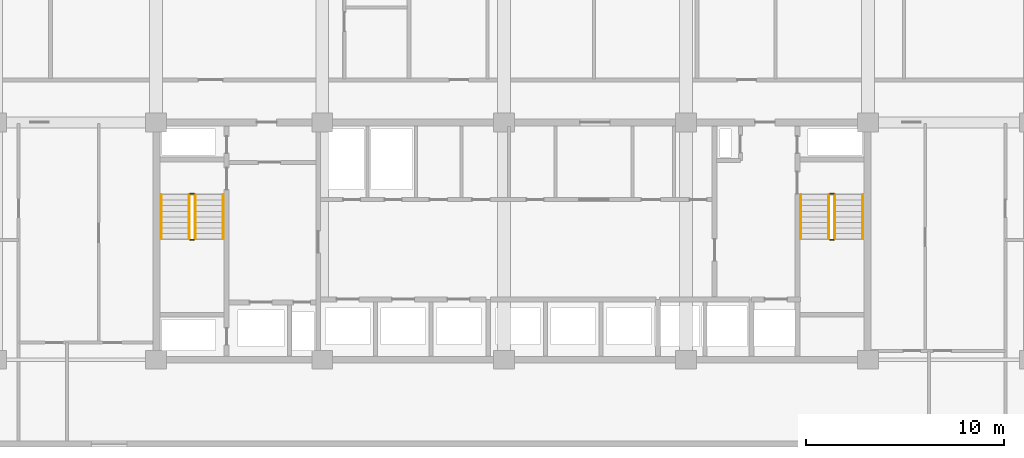
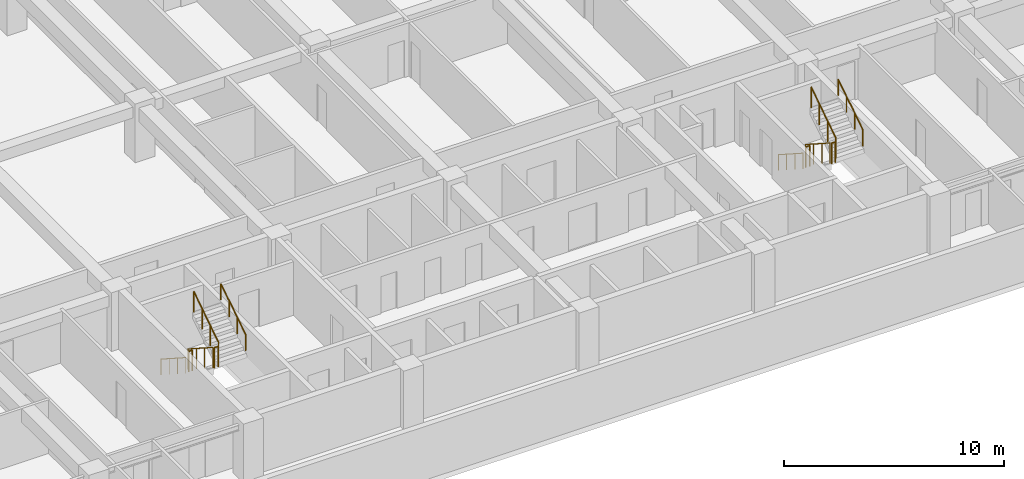
# One storey, part 22 of 23: 12 railings.
"""IFC4 building model written with IfcOpenShell, lengths in metres."""

from ifc_helpers import new_model, si_unit, direction, frame, origin, origin_2d, place, context, subcontext, project, spatial, circle, extrude, material, type_object, element, save


model = new_model("IFC4")

# Units and contexts
model_context = context("Model", 3, precision=1e-05, world=origin(), true_north=direction((0.0, 1.0)))
body_context = subcontext(model_context, "Body", "Model", "MODEL_VIEW")
ifc_project = project(units=[si_unit("LENGTHUNIT", "METRE"), si_unit("AREAUNIT", "SQUARE_METRE"), si_unit("VOLUMEUNIT", "CUBIC_METRE"), si_unit("PLANEANGLEUNIT", "RADIAN"), si_unit("MASSUNIT", "GRAM", prefix="KILO")], contexts=[model_context])

# Site, building, storey
site_placement = place(None, origin())
site = spatial("IfcSite", under=ifc_project, at=site_placement, CompositionType="ELEMENT")
building_placement = place(site_placement, origin())
building = spatial("IfcBuilding", under=site, at=building_placement, Name="Korimba Cascade Residences", CompositionType="ELEMENT")
storey_placement = place(building_placement, frame((0.0, 0.0, 50.0)))
storey = spatial("IfcBuildingStorey", under=building, at=storey_placement, Name="L13", CompositionType="ELEMENT", Elevation=50.0)

# Railings
ifc_material_1 = material(Name="Painted Steel Stairwell Guardrail", Category="steel")
railing_type_1 = type_object("IfcRailingType", Name="RLG-ST-GD1150", PredefinedType="GUARDRAIL", material=ifc_material_1)
railing_1_placement = place(storey_placement, frame((77.77001953125, 63.550048828125, 0.1806640625)))
element("IfcRailing", 1, at=railing_1_placement, inside=storey, type_object=railing_type_1, Name="L13 ST-W1 stair guard 1", PredefinedType="GUARDRAIL", context=body_context, shape_type="SweptSolid", body=[
    extrude(circle(Radius=0.02392578125, at=origin_2d()), frame((0.0, 0.0, 1.1259765625), z_axis=(0.0, -0.840436612492, 0.541909863706), x_axis=(1.0, 0.0, 0.0)), (0.0, 0.0, 1.0), 2.665283203125),
    extrude(circle(Radius=0.02099609375, at=origin_2d()), origin(), (0.0, 0.0, 1.0), 1.101806640625),
    extrude(circle(Radius=0.02099609375, at=origin_2d()), frame((0.0, -0.74658203125, 0.4814453125)), (0.0, 0.0, 1.0), 1.101806640625),
    extrude(circle(Radius=0.02099609375, at=origin_2d()), frame((0.0, -1.493408203125, 0.962890625)), (0.0, 0.0, 1.0), 1.101806640625),
    extrude(circle(Radius=0.02099609375, at=origin_2d()), frame((0.0, -2.239990234375, 1.4443359375)), (0.0, 0.0, 1.0), 1.101806640625),
])
railing_2_placement = place(storey_placement, frame((77.820068359375, 61.260009765625, 1.625)))
element("IfcRailing", 2, at=railing_2_placement, inside=storey, type_object=railing_type_1, Name="L13 ST-W1 stair guard 2", PredefinedType="GUARDRAIL", context=body_context, shape_type="SweptSolid", body=[
    extrude(circle(Radius=0.02392578125, at=origin_2d()), frame((0.0, 0.0, 1.1259765625), z_axis=(1.0, 0.0, 0.0), x_axis=(0.0, 1.0, 0.0)), (0.0, 0.0, 1.0), 0.199951171875),
    extrude(circle(Radius=0.02099609375, at=origin_2d()), origin(), (0.0, 0.0, 1.0), 1.101806640625),
    extrude(circle(Radius=0.02099609375, at=origin_2d()), frame((0.199951171875, 0.0, 0.0)), (0.0, 0.0, 1.0), 1.101806640625),
])
railing_3_placement = place(storey_placement, frame((78.070068359375, 61.31005859375, 1.8056640625)))
element("IfcRailing", 3, at=railing_3_placement, inside=storey, type_object=railing_type_1, Name="L13 ST-W1 stair guard 3", PredefinedType="GUARDRAIL", context=body_context, shape_type="SweptSolid", body=[
    extrude(circle(Radius=0.02392578125, at=origin_2d()), frame((0.0, 0.0, 1.1259765625), z_axis=(0.0, 0.840436612492, 0.541909863706), x_axis=(-1.0, 0.0, 0.0)), (0.0, 0.0, 1.0), 2.665283203125),
    extrude(circle(Radius=0.02099609375, at=origin_2d()), origin(), (0.0, 0.0, 1.0), 1.101806640625),
    extrude(circle(Radius=0.02099609375, at=origin_2d()), frame((0.0, 0.74658203125, 0.4814453125)), (0.0, 0.0, 1.0), 1.101806640625),
    extrude(circle(Radius=0.02099609375, at=origin_2d()), frame((0.0, 1.493408203125, 0.962890625)), (0.0, 0.0, 1.0), 1.101806640625),
    extrude(circle(Radius=0.02099609375, at=origin_2d()), frame((0.0, 2.239990234375, 1.4443359375)), (0.0, 0.0, 1.0), 1.101806640625),
])
railing_4_placement = place(storey_placement, frame((77.820068359375, 63.60009765625, 0.0)))
element("IfcRailing", 4, at=railing_4_placement, inside=storey, type_object=railing_type_1, Name="L13 ST-W1 stair guard 4", PredefinedType="GUARDRAIL", context=body_context, shape_type="SweptSolid", body=[
    extrude(circle(Radius=0.02392578125, at=origin_2d()), frame((0.0, 0.0, 1.1259765625), z_axis=(1.0, 0.0, 0.0), x_axis=(0.0, 1.0, 0.0)), (0.0, 0.0, 1.0), 0.199951171875),
    extrude(circle(Radius=0.02099609375, at=origin_2d()), origin(), (0.0, 0.0, 1.0), 1.101806640625),
    extrude(circle(Radius=0.02099609375, at=origin_2d()), frame((0.199951171875, 0.0, 0.0)), (0.0, 0.0, 1.0), 1.101806640625),
])
railing_5_placement = place(storey_placement, frame((110.1298828125, 63.550048828125, 0.1806640625)))
element("IfcRailing", 5, at=railing_5_placement, inside=storey, type_object=railing_type_1, Name="L13 ST-W2 stair guard 1", PredefinedType="GUARDRAIL", context=body_context, shape_type="SweptSolid", body=[
    extrude(circle(Radius=0.02392578125, at=origin_2d()), frame((0.0, 0.0, 1.1259765625), z_axis=(0.0, -0.840436612492, 0.541909863706), x_axis=(1.0, 0.0, 0.0)), (0.0, 0.0, 1.0), 2.665283203125),
    extrude(circle(Radius=0.02099609375, at=origin_2d()), origin(), (0.0, 0.0, 1.0), 1.101806640625),
    extrude(circle(Radius=0.02099609375, at=origin_2d()), frame((0.0, -0.74658203125, 0.4814453125)), (0.0, 0.0, 1.0), 1.101806640625),
    extrude(circle(Radius=0.02099609375, at=origin_2d()), frame((0.0, -1.493408203125, 0.962890625)), (0.0, 0.0, 1.0), 1.101806640625),
    extrude(circle(Radius=0.02099609375, at=origin_2d()), frame((0.0, -2.239990234375, 1.4443359375)), (0.0, 0.0, 1.0), 1.101806640625),
])
railing_6_placement = place(storey_placement, frame((110.179931640625, 61.260009765625, 1.625)))
element("IfcRailing", 6, at=railing_6_placement, inside=storey, type_object=railing_type_1, Name="L13 ST-W2 stair guard 2", PredefinedType="GUARDRAIL", context=body_context, shape_type="SweptSolid", body=[
    extrude(circle(Radius=0.02392578125, at=origin_2d()), frame((0.0, 0.0, 1.1259765625), z_axis=(1.0, 0.0, 0.0), x_axis=(0.0, 1.0, 0.0)), (0.0, 0.0, 1.0), 0.199951171875),
    extrude(circle(Radius=0.02099609375, at=origin_2d()), origin(), (0.0, 0.0, 1.0), 1.101806640625),
    extrude(circle(Radius=0.02099609375, at=origin_2d()), frame((0.199951171875, 0.0, 0.0)), (0.0, 0.0, 1.0), 1.101806640625),
])
railing_7_placement = place(storey_placement, frame((110.429931640625, 61.31005859375, 1.8056640625)))
element("IfcRailing", 7, at=railing_7_placement, inside=storey, type_object=railing_type_1, Name="L13 ST-W2 stair guard 3", PredefinedType="GUARDRAIL", context=body_context, shape_type="SweptSolid", body=[
    extrude(circle(Radius=0.02392578125, at=origin_2d()), frame((0.0, 0.0, 1.1259765625), z_axis=(0.0, 0.840436612492, 0.541909863706), x_axis=(-1.0, 0.0, 0.0)), (0.0, 0.0, 1.0), 2.665283203125),
    extrude(circle(Radius=0.02099609375, at=origin_2d()), origin(), (0.0, 0.0, 1.0), 1.101806640625),
    extrude(circle(Radius=0.02099609375, at=origin_2d()), frame((0.0, 0.74658203125, 0.4814453125)), (0.0, 0.0, 1.0), 1.101806640625),
    extrude(circle(Radius=0.02099609375, at=origin_2d()), frame((0.0, 1.493408203125, 0.962890625)), (0.0, 0.0, 1.0), 1.101806640625),
    extrude(circle(Radius=0.02099609375, at=origin_2d()), frame((0.0, 2.239990234375, 1.4443359375)), (0.0, 0.0, 1.0), 1.101806640625),
])
railing_8_placement = place(storey_placement, frame((110.179931640625, 63.60009765625, 0.0)))
element("IfcRailing", 8, at=railing_8_placement, inside=storey, type_object=railing_type_1, Name="L13 ST-W2 stair guard 4", PredefinedType="GUARDRAIL", context=body_context, shape_type="SweptSolid", body=[
    extrude(circle(Radius=0.02392578125, at=origin_2d()), frame((0.0, 0.0, 1.1259765625), z_axis=(1.0, 0.0, 0.0), x_axis=(0.0, 1.0, 0.0)), (0.0, 0.0, 1.0), 0.199951171875),
    extrude(circle(Radius=0.02099609375, at=origin_2d()), origin(), (0.0, 0.0, 1.0), 1.101806640625),
    extrude(circle(Radius=0.02099609375, at=origin_2d()), frame((0.199951171875, 0.0, 0.0)), (0.0, 0.0, 1.0), 1.101806640625),
])
ifc_material_2 = material(Name="Brushed Stainless Steel Handrail", Category="steel")
railing_type_2 = type_object("IfcRailingType", Name="RLG-ST-HR900", PredefinedType="HANDRAIL", material=ifc_material_2)
railing_9_placement = place(storey_placement, frame((76.35009765625, 63.550048828125, 0.364990234375)))
element("IfcRailing", 9, at=railing_9_placement, inside=storey, type_object=railing_type_2, Name="L13 ST-W1 stair handrail 1", PredefinedType="HANDRAIL", context=body_context, shape_type="SweptSolid", body=[
    extrude(circle(Radius=0.02392578125, at=origin_2d()), frame((0.0, 0.0, 0.8759765625), z_axis=(0.0, -0.840436612492, 0.541909863706), x_axis=(1.0, 0.0, 0.0)), (0.0, 0.0, 1.0), 2.665283203125),
    extrude(circle(Radius=0.02099609375, at=origin_2d()), origin(), (0.0, 0.0, 1.0), 0.851806640625),
    extrude(circle(Radius=0.02099609375, at=origin_2d()), frame((0.0, -0.74658203125, 0.4814453125)), (0.0, 0.0, 1.0), 0.851806640625),
    extrude(circle(Radius=0.02099609375, at=origin_2d()), frame((0.0, -1.493408203125, 0.962890625)), (0.0, 0.0, 1.0), 0.851806640625),
    extrude(circle(Radius=0.02099609375, at=origin_2d()), frame((0.0, -2.239990234375, 1.4443359375)), (0.0, 0.0, 1.0), 0.851806640625),
])
railing_10_placement = place(storey_placement, frame((79.489990234375, 61.31005859375, 1.989990234375)))
element("IfcRailing", 10, at=railing_10_placement, inside=storey, type_object=railing_type_2, Name="L13 ST-W1 stair handrail 2", PredefinedType="HANDRAIL", context=body_context, shape_type="SweptSolid", body=[
    extrude(circle(Radius=0.02392578125, at=origin_2d()), frame((0.0, 0.0, 0.8759765625), z_axis=(0.0, 0.840436612492, 0.541909863706), x_axis=(-1.0, 0.0, 0.0)), (0.0, 0.0, 1.0), 2.665283203125),
    extrude(circle(Radius=0.02099609375, at=origin_2d()), origin(), (0.0, 0.0, 1.0), 0.851806640625),
    extrude(circle(Radius=0.02099609375, at=origin_2d()), frame((0.0, 0.74658203125, 0.4814453125)), (0.0, 0.0, 1.0), 0.851806640625),
    extrude(circle(Radius=0.02099609375, at=origin_2d()), frame((0.0, 1.493408203125, 0.962890625)), (0.0, 0.0, 1.0), 0.851806640625),
    extrude(circle(Radius=0.02099609375, at=origin_2d()), frame((0.0, 2.239990234375, 1.4443359375)), (0.0, 0.0, 1.0), 0.851806640625),
])
railing_11_placement = place(storey_placement, frame((108.7099609375, 63.550048828125, 0.364990234375)))
element("IfcRailing", 11, at=railing_11_placement, inside=storey, type_object=railing_type_2, Name="L13 ST-W2 stair handrail 1", PredefinedType="HANDRAIL", context=body_context, shape_type="SweptSolid", body=[
    extrude(circle(Radius=0.02392578125, at=origin_2d()), frame((0.0, 0.0, 0.8759765625), z_axis=(0.0, -0.840436612492, 0.541909863706), x_axis=(1.0, 0.0, 0.0)), (0.0, 0.0, 1.0), 2.665283203125),
    extrude(circle(Radius=0.02099609375, at=origin_2d()), origin(), (0.0, 0.0, 1.0), 0.851806640625),
    extrude(circle(Radius=0.02099609375, at=origin_2d()), frame((0.0, -0.74658203125, 0.4814453125)), (0.0, 0.0, 1.0), 0.851806640625),
    extrude(circle(Radius=0.02099609375, at=origin_2d()), frame((0.0, -1.493408203125, 0.962890625)), (0.0, 0.0, 1.0), 0.851806640625),
    extrude(circle(Radius=0.02099609375, at=origin_2d()), frame((0.0, -2.239990234375, 1.4443359375)), (0.0, 0.0, 1.0), 0.851806640625),
])
railing_12_placement = place(storey_placement, frame((111.85009765625, 61.31005859375, 1.989990234375)))
element("IfcRailing", 12, at=railing_12_placement, inside=storey, type_object=railing_type_2, Name="L13 ST-W2 stair handrail 2", PredefinedType="HANDRAIL", context=body_context, shape_type="SweptSolid", body=[
    extrude(circle(Radius=0.02392578125, at=origin_2d()), frame((0.0, 0.0, 0.8759765625), z_axis=(0.0, 0.840436612492, 0.541909863706), x_axis=(-1.0, 0.0, 0.0)), (0.0, 0.0, 1.0), 2.665283203125),
    extrude(circle(Radius=0.02099609375, at=origin_2d()), origin(), (0.0, 0.0, 1.0), 0.851806640625),
    extrude(circle(Radius=0.02099609375, at=origin_2d()), frame((0.0, 0.74658203125, 0.4814453125)), (0.0, 0.0, 1.0), 0.851806640625),
    extrude(circle(Radius=0.02099609375, at=origin_2d()), frame((0.0, 1.493408203125, 0.962890625)), (0.0, 0.0, 1.0), 0.851806640625),
    extrude(circle(Radius=0.02099609375, at=origin_2d()), frame((0.0, 2.239990234375, 1.4443359375)), (0.0, 0.0, 1.0), 0.851806640625),
])

save(model, "model.ifc")
